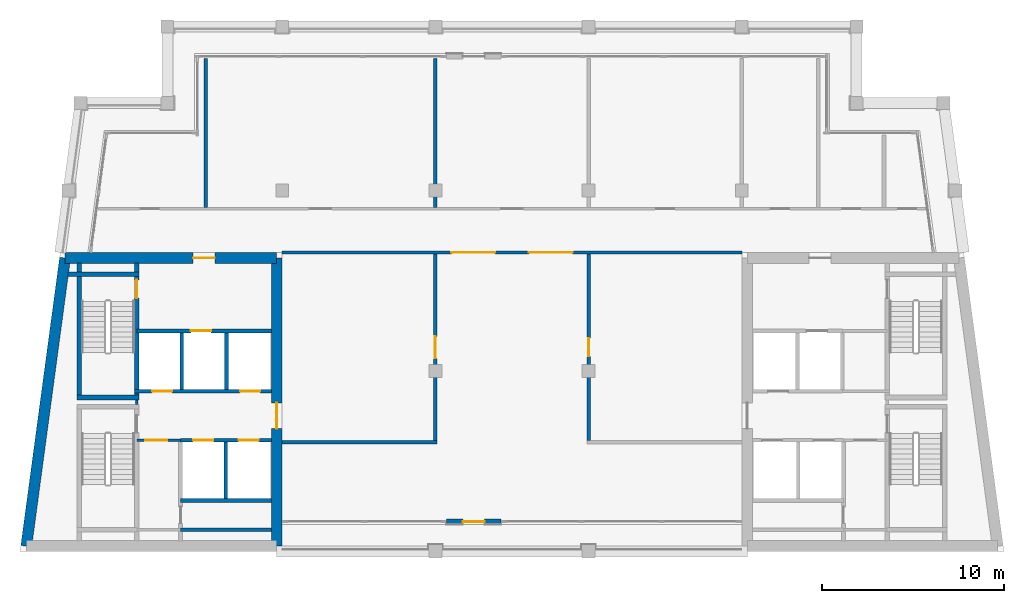
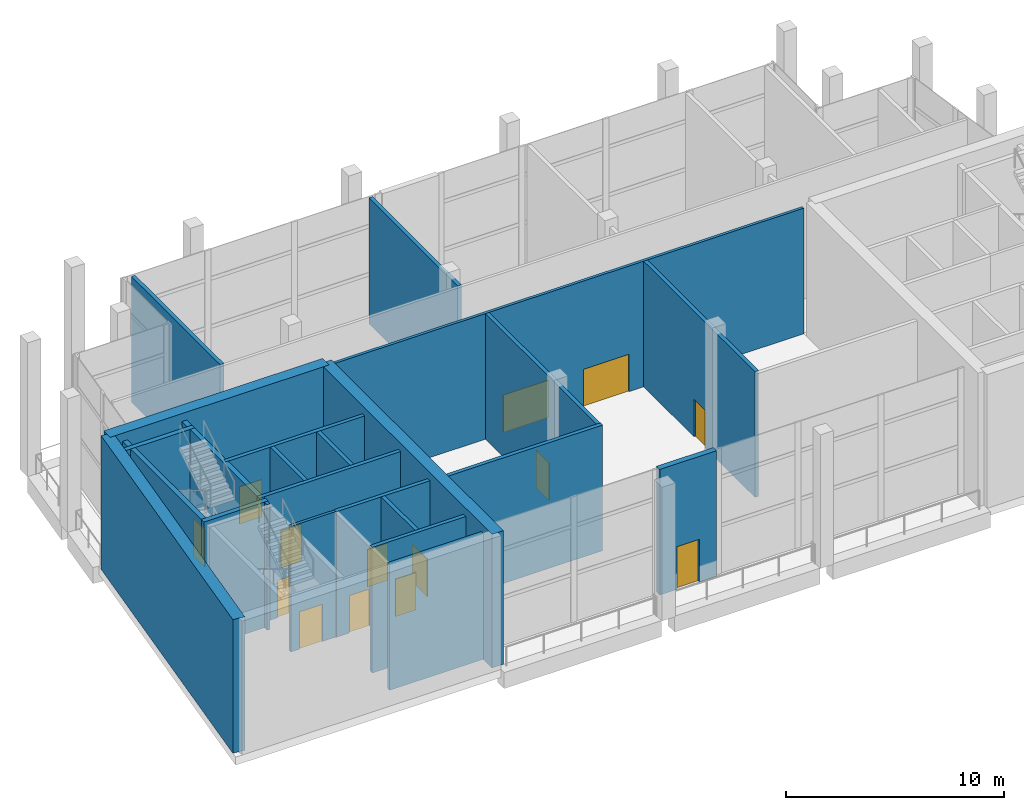
# One storey, part 4 of 9: 24 walls, 14 doors, 14 openings.
"""IFC4 building model written with IfcOpenShell, lengths in metres."""

from ifc_helpers import new_model, si_unit, direction, frame, frame_2d, origin, place, context, subcontext, project, spatial, rectangle, extrude, material, layer, layer_set, type_object, element, fill, save


model = new_model("IFC4")

# Units and contexts
model_context = context("Model", 3, precision=1e-05, world=origin(), true_north=direction((0.0, 1.0)))
body_context = subcontext(model_context, "Body", "Model", "MODEL_VIEW")
ifc_project = project(units=[si_unit("LENGTHUNIT", "METRE"), si_unit("AREAUNIT", "SQUARE_METRE"), si_unit("VOLUMEUNIT", "CUBIC_METRE"), si_unit("PLANEANGLEUNIT", "RADIAN"), si_unit("MASSUNIT", "GRAM", prefix="KILO")], contexts=[model_context])

# Site, building, storey
site_placement = place(None, origin())
site = spatial("IfcSite", under=ifc_project, at=site_placement, CompositionType="ELEMENT")
building_placement = place(site_placement, origin())
building = spatial("IfcBuilding", under=site, at=building_placement, Name="Candeia Pilgrim Tower and Theatre", CompositionType="ELEMENT")
storey_placement = place(building_placement, frame((0.0, 0.0, 307.89990234375)))
storey = spatial("IfcBuildingStorey", under=building, at=storey_placement, Name="L75", CompositionType="ELEMENT", Elevation=307.89990234375)

# Wall, opening, door
ifc_material_1 = material(Name="Concrete C40/50", Category="concrete")
ifc_layer_1 = layer(ifc_material_1, 0.60009765625)
ifc_layer_set_1 = layer_set([ifc_layer_1], Name="Core wall 600 C40/50")
wall_type_1 = type_object("IfcWallType", Name="Core wall 600 C40/50", PredefinedType="SHEAR", material=ifc_layer_set_1)
wall_1_placement = place(storey_placement, frame((88.89306640625, 132.10009765625, 0.0), z_axis=(0.0, 0.0, 1.0), x_axis=(1.0, 0.0, 0.0)))
wall_1 = element("IfcWall", 1, at=wall_1_placement, inside=storey, type_object=wall_type_1, Name="Core wall W1", PredefinedType="SHEAR", context=body_context, shape_type="SweptSolid", body=[
    extrude(rectangle(XDim=11.60693359375, YDim=0.60009765625, at=frame_2d((5.803466796875, 0.0))), origin(), (0.0, 0.0, 1.0), 7.5),
])
opening_1_placement = place(wall_1_placement, frame((7.0205078125, 0.0, 0.0)))
opening_1 = element("IfcOpeningElement", 2, at=opening_1_placement, cuts=wall_1, Name="Opening L75-D020", PredefinedType="OPENING", context=body_context, shape_type="SweptSolid", body=[
    extrude(rectangle(XDim=1.199951171875, YDim=2.10009765625, at=frame_2d((0.60009765625, 1.050048828125))), frame((0.0, 0.31005859375, 0.0), z_axis=(0.0, -1.0, 0.0), x_axis=(1.0, 0.0, 0.0)), (0.0, 0.0, 1.0), 0.6201171875),
])
ifc_material_2 = material(Name="Steel fire door set", Category="steel")
door_type_1 = type_object("IfcDoorType", Name="D-1200-FD60", OperationType="NOTDEFINED", PredefinedType="DOOR", material=ifc_material_2)
door_1_placement = place(opening_1_placement, origin())
door_1 = element("IfcDoor", 3, at=door_1_placement, inside=storey, type_object=door_type_1, Name="Door L75-D020", OperationType="SINGLE_SWING_RIGHT", OverallHeight=2.10009765625, OverallWidth=1.199951171875, PredefinedType="DOOR", context=body_context, shape_type="SweptSolid", body=[
    extrude(rectangle(XDim=1.199951171875, YDim=2.10009765625, at=frame_2d((0.60009765625, 1.050048828125))), frame((0.0, 0.02490234375, 0.0), z_axis=(0.0, -1.0, 0.0), x_axis=(1.0, 0.0, 0.0)), (0.0, 0.0, 1.0), 0.050048828125),
])
fill(opening_1, door_1)

wall_2_placement = place(storey_placement, frame((100.5, 132.10009765625, 0.0), z_axis=(0.0, 0.0, 1.0), x_axis=(0.0, -1.0, 0.0)))
wall_2 = element("IfcWall", 4, at=wall_2_placement, inside=storey, type_object=wall_type_1, Name="Core wall W2", PredefinedType="SHEAR", context=body_context, shape_type="SweptSolid", body=[
    extrude(rectangle(XDim=15.800048828125, YDim=0.60009765625, at=frame_2d((7.89990234375, 0.0))), origin(), (0.0, 0.0, 1.0), 7.5),
])
opening_2_placement = place(wall_2_placement, frame((7.949951171875, 0.0, 0.0)))
opening_2 = element("IfcOpeningElement", 5, at=opening_2_placement, cuts=wall_2, Name="Opening L75-D021", PredefinedType="OPENING", context=body_context, shape_type="SweptSolid", body=[
    extrude(rectangle(XDim=1.39990234375, YDim=2.10009765625, at=frame_2d((0.699951171875, 1.050048828125))), frame((0.0, 0.31005859375, 0.0), z_axis=(0.0, -1.0, 0.0), x_axis=(1.0, 0.0, 0.0)), (0.0, 0.0, 1.0), 0.6201171875),
])
door_type_2 = type_object("IfcDoorType", Name="D-1400-FD60", OperationType="NOTDEFINED", PredefinedType="DOOR", material=ifc_material_2)
door_2_placement = place(opening_2_placement, origin())
door_2 = element("IfcDoor", 6, at=door_2_placement, inside=storey, type_object=door_type_2, Name="Door L75-D021", OperationType="SINGLE_SWING_LEFT", OverallHeight=2.10009765625, OverallWidth=1.39990234375, PredefinedType="DOOR", context=body_context, shape_type="SweptSolid", body=[
    extrude(rectangle(XDim=1.39990234375, YDim=2.10009765625, at=frame_2d((0.699951171875, 1.050048828125))), frame((0.0, 0.02490234375, 0.0), z_axis=(0.0, -1.0, 0.0), x_axis=(1.0, 0.0, 0.0)), (0.0, 0.0, 1.0), 0.050048828125),
])
fill(opening_2, door_2)

# Wall
wall_3_placement = place(storey_placement, frame((86.76611328125, 116.300048828125, 0.0), z_axis=(0.0, 0.0, 1.0), x_axis=(0.13341345841, 0.991060466932, 0.0)))
element("IfcWall", 7, at=wall_3_placement, inside=storey, type_object=wall_type_1, Name="Core wall W4", PredefinedType="SHEAR", context=body_context, shape_type="SweptSolid", body=[
    extrude(rectangle(XDim=15.942626953125, YDim=0.60009765625, at=frame_2d((7.97119140625, 0.0))), origin(), (0.0, 0.0, 1.0), 7.5),
])

# Wall, opening, door
ifc_material_3 = material(Name="Ceramic block masonry", Category="masonry")
ifc_layer_2 = layer(ifc_material_3, 0.300048828125)
ifc_layer_set_2 = layer_set([ifc_layer_2], Name="EW2 entrance infill wall 300")
wall_type_2 = type_object("IfcWallType", Name="EW2 entrance infill wall 300", PredefinedType="SOLIDWALL", material=ifc_layer_set_2)
wall_4_placement = place(storey_placement, frame((109.800048828125, 117.64990234375, 0.0), z_axis=(0.0, 0.0, 1.0), x_axis=(1.0, 0.0, 0.0)))
wall_4 = element("IfcWall", 8, at=wall_4_placement, inside=storey, type_object=wall_type_2, Name="Infill wall L75", PredefinedType="SOLIDWALL", context=body_context, shape_type="SweptSolid", body=[
    extrude(rectangle(XDim=3.0, YDim=0.300048828125, at=frame_2d((1.5, 0.0))), origin(), (0.0, 0.0, 1.0), 7.050048828125),
])
opening_3_placement = place(wall_4_placement, frame((0.89990234375, 0.0, 0.0)))
opening_3 = element("IfcOpeningElement", 9, at=opening_3_placement, cuts=wall_4, Name="Opening L75-ED691", PredefinedType="OPENING", context=body_context, shape_type="SweptSolid", body=[
    extrude(rectangle(XDim=1.199951171875, YDim=2.39990234375, at=frame_2d((0.60009765625, 1.199951171875))), frame((0.0, 0.16015625, 0.0), z_axis=(0.0, -1.0, 0.0), x_axis=(1.0, 0.0, 0.0)), (0.0, 0.0, 1.0), 0.320068359375),
])
ifc_material_4 = material(Name="Aluminium framed glazed door", Category="aluminium")
door_type_3 = type_object("IfcDoorType", Name="Loggia door 1200x2400", OperationType="DOUBLE_DOOR_SINGLE_SWING", PredefinedType="DOOR", material=ifc_material_4)
door_3_placement = place(opening_3_placement, origin())
door_3 = element("IfcDoor", 10, at=door_3_placement, inside=storey, type_object=door_type_3, Name="Loggia door L75-ED691", OperationType="DOUBLE_DOOR_SINGLE_SWING", OverallHeight=2.39990234375, OverallWidth=1.199951171875, PredefinedType="DOOR", context=body_context, shape_type="SweptSolid", body=[
    extrude(rectangle(XDim=1.199951171875, YDim=2.39990234375, at=frame_2d((0.60009765625, 1.199951171875))), frame((0.0, 0.02490234375, 0.0), z_axis=(0.0, -1.0, 0.0), x_axis=(1.0, 0.0, 0.0)), (0.0, 0.0, 1.0), 0.050048828125),
])
fill(opening_3, door_3)

ifc_material_5 = material(Name="Gypsum board partition on steel studs", Category="steel")
ifc_layer_3 = layer(ifc_material_5, 0.14990234375)
ifc_layer_set_3 = layer_set([ifc_layer_3], Name="PW-150 lobby wall")
wall_type_3 = type_object("IfcWallType", Name="PW-150 lobby wall", PredefinedType="PARTITIONING", material=ifc_layer_set_3)
wall_5_placement = place(storey_placement, frame((92.826904296875, 122.10009765625, 0.0), z_axis=(0.0, 0.0, 1.0), x_axis=(1.0, 0.0, 0.0)))
wall_5 = element("IfcWall", 11, at=wall_5_placement, inside=storey, type_object=wall_type_3, Name="Lobby wall L75-013", PredefinedType="PARTITIONING", context=body_context, shape_type="SweptSolid", body=[
    extrude(rectangle(XDim=2.400146484375, YDim=0.14990234375, at=frame_2d((1.2001953125, 0.0))), origin(), (0.0, 0.0, 1.0), 7.050048828125),
])
opening_4_placement = place(wall_5_placement, frame((0.47509765625, 0.0, 0.0)))
opening_4 = element("IfcOpeningElement", 12, at=opening_4_placement, cuts=wall_5, Name="Opening L75-D012", PredefinedType="OPENING", context=body_context, shape_type="SweptSolid", body=[
    extrude(rectangle(XDim=1.199951171875, YDim=2.10009765625, at=frame_2d((0.60009765625, 1.050048828125))), frame((0.0, 0.0849609375, 0.0), z_axis=(0.0, -1.0, 0.0), x_axis=(1.0, 0.0, 0.0)), (0.0, 0.0, 1.0), 0.169921875),
])
door_4_placement = place(opening_4_placement, origin())
door_4 = element("IfcDoor", 13, at=door_4_placement, inside=storey, type_object=door_type_1, Name="Door L75-D012", OperationType="SINGLE_SWING_LEFT", OverallHeight=2.10009765625, OverallWidth=1.199951171875, PredefinedType="DOOR", context=body_context, shape_type="SweptSolid", body=[
    extrude(rectangle(XDim=1.199951171875, YDim=2.10009765625, at=frame_2d((0.60009765625, 1.050048828125))), frame((0.0, 0.02490234375, 0.0), z_axis=(0.0, -1.0, 0.0), x_axis=(1.0, 0.0, 0.0)), (0.0, 0.0, 1.0), 0.050048828125),
])
fill(opening_4, door_4)

# Wall
wall_6_placement = place(storey_placement, frame((92.826904296875, 124.074951171875, 0.0), z_axis=(0.0, 0.0, 1.0), x_axis=(0.0, 1.0, 0.0)))
element("IfcWall", 14, at=wall_6_placement, inside=storey, type_object=wall_type_3, Name="Lobby wall L75-031", PredefinedType="PARTITIONING", context=body_context, shape_type="SweptSolid", body=[
    extrude(rectangle(XDim=0.25, YDim=0.14990234375, at=frame_2d((0.125, 0.0))), origin(), (0.0, 0.0, 1.0), 7.050048828125),
])

# Wall, openings, doors
ifc_layer_4 = layer(ifc_material_5, 0.14990234375)
ifc_layer_set_4 = layer_set([ifc_layer_4], Name="PW-150 unit wall")
wall_type_4 = type_object("IfcWallType", Name="PW-150 unit wall", PredefinedType="PARTITIONING", material=ifc_layer_set_4)
wall_7_placement = place(storey_placement, frame((100.800048828125, 132.39990234375, 0.0), z_axis=(0.0, 0.0, 1.0), x_axis=(1.0, 0.0, 0.0)))
wall_7 = element("IfcWall", 15, at=wall_7_placement, inside=storey, type_object=wall_type_4, Name="Unit wall L75-027", PredefinedType="PARTITIONING", context=body_context, shape_type="SweptSolid", body=[
    extrude(rectangle(XDim=25.199951171875, YDim=0.14990234375, at=frame_2d((12.60009765625, 0.0))), origin(), (0.0, 0.0, 1.0), 7.050048828125),
])
opening_5_placement = place(wall_7_placement, frame((9.280029296875, 0.0, 0.0)))
opening_5 = element("IfcOpeningElement", 16, at=opening_5_placement, cuts=wall_7, Name="Opening L75-D001", PredefinedType="OPENING", context=body_context, shape_type="SweptSolid", body=[
    extrude(rectangle(XDim=2.39990234375, YDim=2.10009765625, at=frame_2d((1.199951171875, 1.050048828125))), frame((0.0, 0.0849609375, 0.0), z_axis=(0.0, -1.0, 0.0), x_axis=(1.0, 0.0, 0.0)), (0.0, 0.0, 1.0), 0.169921875),
])
opening_6_placement = place(wall_7_placement, frame((13.52001953125, 0.0, 0.0)))
opening_6 = element("IfcOpeningElement", 17, at=opening_6_placement, cuts=wall_7, Name="Opening L75-D002", PredefinedType="OPENING", context=body_context, shape_type="SweptSolid", body=[
    extrude(rectangle(XDim=2.39990234375, YDim=2.10009765625, at=frame_2d((1.199951171875, 1.050048828125))), frame((0.0, 0.0849609375, 0.0), z_axis=(0.0, -1.0, 0.0), x_axis=(1.0, 0.0, 0.0)), (0.0, 0.0, 1.0), 0.169921875),
])
door_type_4 = type_object("IfcDoorType", Name="D-2400-FD30S", OperationType="NOTDEFINED", PredefinedType="DOOR", material=ifc_material_2)
door_5_placement = place(opening_5_placement, origin())
door_5 = element("IfcDoor", 18, at=door_5_placement, inside=storey, type_object=door_type_4, Name="Door L75-D001", OperationType="SINGLE_SWING_RIGHT", OverallHeight=2.10009765625, OverallWidth=2.39990234375, PredefinedType="DOOR", context=body_context, shape_type="SweptSolid", body=[
    extrude(rectangle(XDim=2.39990234375, YDim=2.10009765625, at=frame_2d((1.199951171875, 1.050048828125))), frame((0.0, 0.02490234375, 0.0), z_axis=(0.0, -1.0, 0.0), x_axis=(1.0, 0.0, 0.0)), (0.0, 0.0, 1.0), 0.050048828125),
])
fill(opening_5, door_5)
door_6_placement = place(opening_6_placement, origin())
door_6 = element("IfcDoor", 19, at=door_6_placement, inside=storey, type_object=door_type_4, Name="Door L75-D002", OperationType="SINGLE_SWING_LEFT", OverallHeight=2.10009765625, OverallWidth=2.39990234375, PredefinedType="DOOR", context=body_context, shape_type="SweptSolid", body=[
    extrude(rectangle(XDim=2.39990234375, YDim=2.10009765625, at=frame_2d((1.199951171875, 1.050048828125))), frame((0.0, 0.02490234375, 0.0), z_axis=(0.0, -1.0, 0.0), x_axis=(1.0, 0.0, 0.0)), (0.0, 0.0, 1.0), 0.050048828125),
])
fill(opening_6, door_6)

# Walls
ifc_layer_5 = layer(ifc_material_5, 0.199951171875)
ifc_layer_set_5 = layer_set([ifc_layer_5], Name="PW-200 party wall")
wall_type_5 = type_object("IfcWallType", Name="PW-200 party wall", PredefinedType="PARTITIONING", material=ifc_layer_set_5)
wall_8_placement = place(storey_placement, frame((100.800048828125, 122.0, 0.0), z_axis=(0.0, 0.0, 1.0), x_axis=(1.0, 0.0, 0.0)))
element("IfcWall", 20, at=wall_8_placement, inside=storey, type_object=wall_type_5, Name="Party wall L75-009", PredefinedType="PARTITIONING", context=body_context, shape_type="SweptSolid", body=[
    extrude(rectangle(XDim=8.5, YDim=0.199951171875, at=frame_2d((4.25, 0.0))), origin(), (0.0, 0.0, 1.0), 7.050048828125),
])
wall_9_placement = place(storey_placement, frame((96.60009765625, 134.875, 0.0), z_axis=(0.0, 0.0, 1.0), x_axis=(0.0, 1.0, 0.0)))
element("IfcWall", 21, at=wall_9_placement, inside=storey, type_object=wall_type_5, Name="Party wall L75-036", PredefinedType="PARTITIONING", context=body_context, shape_type="SweptSolid", body=[
    extrude(rectangle(XDim=8.1650390625, YDim=0.199951171875, at=frame_2d((4.08251953125, 0.0))), origin(), (0.0, 0.0, 1.0), 7.050048828125),
])

# Wall, opening, door
wall_10_placement = place(storey_placement, frame((109.199951171875, 122.10009765625, 0.0), z_axis=(0.0, 0.0, 1.0), x_axis=(0.0, 1.0, 0.0)))
wall_10 = element("IfcWall", 22, at=wall_10_placement, inside=storey, type_object=wall_type_5, Name="Party wall L75-039", PredefinedType="PARTITIONING", context=body_context, shape_type="SweptSolid", body=[
    extrude(rectangle(XDim=10.224853515625, YDim=0.199951171875, at=frame_2d((5.1123046875, 0.0))), origin(), (0.0, 0.0, 1.0), 7.050048828125),
])
opening_7_placement = place(wall_10_placement, frame((4.5, 0.0, 0.0)))
opening_7 = element("IfcOpeningElement", 23, at=opening_7_placement, cuts=wall_10, Name="Opening L75-D003", PredefinedType="OPENING", context=body_context, shape_type="SweptSolid", body=[
    extrude(rectangle(XDim=1.199951171875, YDim=2.10009765625, at=frame_2d((0.60009765625, 1.050048828125))), frame((0.0, 0.10986328125, 0.0), z_axis=(0.0, -1.0, 0.0), x_axis=(1.0, 0.0, 0.0)), (0.0, 0.0, 1.0), 0.219970703125),
])
door_7_placement = place(opening_7_placement, origin())
door_7 = element("IfcDoor", 24, at=door_7_placement, inside=storey, type_object=door_type_1, Name="Door L75-D003", OperationType="SINGLE_SWING_RIGHT", OverallHeight=2.10009765625, OverallWidth=1.199951171875, PredefinedType="DOOR", context=body_context, shape_type="SweptSolid", body=[
    extrude(rectangle(XDim=1.199951171875, YDim=2.10009765625, at=frame_2d((0.60009765625, 1.050048828125))), frame((0.0, 0.02490234375, 0.0), z_axis=(0.0, -1.0, 0.0), x_axis=(1.0, 0.0, 0.0)), (0.0, 0.0, 1.0), 0.050048828125),
])
fill(opening_7, door_7)

# Wall
wall_11_placement = place(storey_placement, frame((109.199951171875, 134.875, 0.0), z_axis=(0.0, 0.0, 1.0), x_axis=(0.0, 1.0, 0.0)))
element("IfcWall", 25, at=wall_11_placement, inside=storey, type_object=wall_type_5, Name="Party wall L75-040", PredefinedType="PARTITIONING", context=body_context, shape_type="SweptSolid", body=[
    extrude(rectangle(XDim=8.1650390625, YDim=0.199951171875, at=frame_2d((4.08251953125, 0.0))), origin(), (0.0, 0.0, 1.0), 7.050048828125),
])

# Wall, opening, door
wall_12_placement = place(storey_placement, frame((117.60009765625, 122.10009765625, 0.0), z_axis=(0.0, 0.0, 1.0), x_axis=(0.0, 1.0, 0.0)))
wall_12 = element("IfcWall", 26, at=wall_12_placement, inside=storey, type_object=wall_type_5, Name="Party wall L75-041", PredefinedType="PARTITIONING", context=body_context, shape_type="SweptSolid", body=[
    extrude(rectangle(XDim=10.224853515625, YDim=0.199951171875, at=frame_2d((5.1123046875, 0.0))), origin(), (0.0, 0.0, 1.0), 7.050048828125),
])
opening_8_placement = place(wall_12_placement, frame((4.60009765625, 0.0, 0.0)))
opening_8 = element("IfcOpeningElement", 27, at=opening_8_placement, cuts=wall_12, Name="Opening L75-D004", PredefinedType="OPENING", context=body_context, shape_type="SweptSolid", body=[
    extrude(rectangle(XDim=1.0, YDim=2.10009765625, at=frame_2d((0.5, 1.050048828125))), frame((0.0, 0.10986328125, 0.0), z_axis=(0.0, -1.0, 0.0), x_axis=(1.0, 0.0, 0.0)), (0.0, 0.0, 1.0), 0.219970703125),
])
door_type_5 = type_object("IfcDoorType", Name="D-1000-FD30S", OperationType="NOTDEFINED", PredefinedType="DOOR", material=ifc_material_2)
door_8_placement = place(opening_8_placement, origin())
door_8 = element("IfcDoor", 28, at=door_8_placement, inside=storey, type_object=door_type_5, Name="Door L75-D004", OperationType="SINGLE_SWING_LEFT", OverallHeight=2.10009765625, OverallWidth=1.0, PredefinedType="DOOR", context=body_context, shape_type="SweptSolid", body=[
    extrude(rectangle(XDim=1.0, YDim=2.10009765625, at=frame_2d((0.5, 1.050048828125))), frame((0.0, 0.02490234375, 0.0), z_axis=(0.0, -1.0, 0.0), x_axis=(1.0, 0.0, 0.0)), (0.0, 0.0, 1.0), 0.050048828125),
])
fill(opening_8, door_8)

# Walls
ifc_layer_6 = layer(ifc_material_1, 0.199951171875)
ifc_layer_set_6 = layer_set([ifc_layer_6], Name="SW-200 shaft wall")
wall_type_6 = type_object("IfcWallType", Name="SW-200 shaft wall", PredefinedType="PARTITIONING", material=ifc_layer_set_6)
for number, where, z_axis, x_axis, name in (
    (29, (95.22705078125, 117.199951171875, 0.0), (0.0, 0.0, 1.0), (1.0, 0.0, 0.0), "Shaft wall L75-001"),
    (30, (95.22705078125, 118.800048828125, 0.0), (0.0, 0.0, 1.0), (1.0, 0.0, 0.0), "Shaft wall L75-007"),
):
    element("IfcWall", number, at=place(storey_placement, frame(where, z_axis=z_axis, x_axis=x_axis)), inside=storey, type_object=wall_type_6, Name=name, PredefinedType="PARTITIONING", context=body_context, shape_type="SweptSolid", body=[
        extrude(rectangle(XDim=4.972900390625, YDim=0.199951171875, at=frame_2d((2.486328125, 0.0))), origin(), (0.0, 0.0, 1.0), 7.050048828125),
    ])

# Wall, openings, doors
wall_13_placement = place(storey_placement, frame((95.22705078125, 122.10009765625, 0.0), z_axis=(0.0, 0.0, 1.0), x_axis=(1.0, 0.0, 0.0)))
wall_13 = element("IfcWall", 31, at=wall_13_placement, inside=storey, type_object=wall_type_6, Name="Shaft wall L75-011", PredefinedType="PARTITIONING", context=body_context, shape_type="SweptSolid", body=[
    extrude(rectangle(XDim=4.972900390625, YDim=0.199951171875, at=frame_2d((2.486328125, 0.0))), origin(), (0.0, 0.0, 1.0), 7.050048828125),
])
opening_9_placement = place(wall_13_placement, frame((0.693115234375, 0.0, 0.0)))
opening_9 = element("IfcOpeningElement", 32, at=opening_9_placement, cuts=wall_13, Name="Opening L75-LD01", PredefinedType="OPENING", context=body_context, shape_type="SweptSolid", body=[
    extrude(rectangle(XDim=1.10009765625, YDim=2.10009765625, at=frame_2d((0.550048828125, 1.050048828125))), frame((0.0, 0.10986328125, 0.0), z_axis=(0.0, -1.0, 0.0), x_axis=(1.0, 0.0, 0.0)), (0.0, 0.0, 1.0), 0.219970703125),
])
opening_10_placement = place(wall_13_placement, frame((3.179931640625, 0.0, 0.0)))
opening_10 = element("IfcOpeningElement", 33, at=opening_10_placement, cuts=wall_13, Name="Opening L75-LD02", PredefinedType="OPENING", context=body_context, shape_type="SweptSolid", body=[
    extrude(rectangle(XDim=1.10009765625, YDim=2.10009765625, at=frame_2d((0.550048828125, 1.050048828125))), frame((0.0, 0.10986328125, 0.0), z_axis=(0.0, -1.0, 0.0), x_axis=(1.0, 0.0, 0.0)), (0.0, 0.0, 1.0), 0.219970703125),
])
ifc_material_6 = material(Name="Glazed aluminium landing door", Category="aluminium")
door_type_6 = type_object("IfcDoorType", Name="LD-1100-EI120", OperationType="SLIDING_TO_LEFT", PredefinedType="DOOR", material=ifc_material_6)
door_9_placement = place(opening_9_placement, origin())
door_9 = element("IfcDoor", 34, at=door_9_placement, inside=storey, type_object=door_type_6, Name="Landing door 01 L75", OperationType="SLIDING_TO_LEFT", OverallHeight=2.10009765625, OverallWidth=1.10009765625, PredefinedType="DOOR", context=body_context, shape_type="SweptSolid", body=[
    extrude(rectangle(XDim=1.10009765625, YDim=2.10009765625, at=frame_2d((0.550048828125, 1.050048828125))), frame((0.0, 0.02490234375, 0.0), z_axis=(0.0, -1.0, 0.0), x_axis=(1.0, 0.0, 0.0)), (0.0, 0.0, 1.0), 0.050048828125),
])
fill(opening_9, door_9)
door_10_placement = place(opening_10_placement, origin())
door_10 = element("IfcDoor", 35, at=door_10_placement, inside=storey, type_object=door_type_6, Name="Landing door 02 L75", OperationType="SLIDING_TO_LEFT", OverallHeight=2.10009765625, OverallWidth=1.10009765625, PredefinedType="DOOR", context=body_context, shape_type="SweptSolid", body=[
    extrude(rectangle(XDim=1.10009765625, YDim=2.10009765625, at=frame_2d((0.550048828125, 1.050048828125))), frame((0.0, 0.02490234375, 0.0), z_axis=(0.0, -1.0, 0.0), x_axis=(1.0, 0.0, 0.0)), (0.0, 0.0, 1.0), 0.050048828125),
])
fill(opening_10, door_10)

wall_14_placement = place(storey_placement, frame((92.701904296875, 124.800048828125, 0.0), z_axis=(0.0, 0.0, 1.0), x_axis=(1.0, 0.0, 0.0)))
wall_14 = element("IfcWall", 36, at=wall_14_placement, inside=storey, type_object=wall_type_6, Name="Shaft wall L75-019", PredefinedType="PARTITIONING", context=body_context, shape_type="SweptSolid", body=[
    extrude(rectangle(XDim=7.498046875, YDim=0.199951171875, at=frame_2d((3.7490234375, 0.0))), origin(), (0.0, 0.0, 1.0), 7.050048828125),
])
opening_11_placement = place(wall_14_placement, frame((0.968017578125, 0.0, 0.0)))
opening_11 = element("IfcOpeningElement", 37, at=opening_11_placement, cuts=wall_14, Name="Opening L75-LD03", PredefinedType="OPENING", context=body_context, shape_type="SweptSolid", body=[
    extrude(rectangle(XDim=1.10009765625, YDim=2.10009765625, at=frame_2d((0.550048828125, 1.050048828125))), frame((0.0, 0.10986328125, 0.0), z_axis=(0.0, -1.0, 0.0), x_axis=(1.0, 0.0, 0.0)), (0.0, 0.0, 1.0), 0.219970703125),
])
opening_12_placement = place(wall_14_placement, frame((5.784912109375, 0.0, 0.0)))
opening_12 = element("IfcOpeningElement", 38, at=opening_12_placement, cuts=wall_14, Name="Opening L75-LD05", PredefinedType="OPENING", context=body_context, shape_type="SweptSolid", body=[
    extrude(rectangle(XDim=1.10009765625, YDim=2.10009765625, at=frame_2d((0.550048828125, 1.050048828125))), frame((0.0, 0.10986328125, 0.0), z_axis=(0.0, -1.0, 0.0), x_axis=(1.0, 0.0, 0.0)), (0.0, 0.0, 1.0), 0.219970703125),
])
door_11_placement = place(opening_11_placement, origin())
door_11 = element("IfcDoor", 39, at=door_11_placement, inside=storey, type_object=door_type_6, Name="Landing door 03 L75", OperationType="SLIDING_TO_LEFT", OverallHeight=2.10009765625, OverallWidth=1.10009765625, PredefinedType="DOOR", context=body_context, shape_type="SweptSolid", body=[
    extrude(rectangle(XDim=1.10009765625, YDim=2.10009765625, at=frame_2d((0.550048828125, 1.050048828125))), frame((0.0, 0.02490234375, 0.0), z_axis=(0.0, -1.0, 0.0), x_axis=(1.0, 0.0, 0.0)), (0.0, 0.0, 1.0), 0.050048828125),
])
fill(opening_11, door_11)
door_12_placement = place(opening_12_placement, origin())
door_12 = element("IfcDoor", 40, at=door_12_placement, inside=storey, type_object=door_type_6, Name="Landing door 05 L75", OperationType="SLIDING_TO_LEFT", OverallHeight=2.10009765625, OverallWidth=1.10009765625, PredefinedType="DOOR", context=body_context, shape_type="SweptSolid", body=[
    extrude(rectangle(XDim=1.10009765625, YDim=2.10009765625, at=frame_2d((0.550048828125, 1.050048828125))), frame((0.0, 0.02490234375, 0.0), z_axis=(0.0, -1.0, 0.0), x_axis=(1.0, 0.0, 0.0)), (0.0, 0.0, 1.0), 0.050048828125),
])
fill(opening_12, door_12)

# Wall, opening, door
wall_15_placement = place(storey_placement, frame((92.826904296875, 128.10009765625, 0.0), z_axis=(0.0, 0.0, 1.0), x_axis=(1.0, 0.0, 0.0)))
wall_15 = element("IfcWall", 41, at=wall_15_placement, inside=storey, type_object=wall_type_6, Name="Shaft wall L75-022", PredefinedType="PARTITIONING", context=body_context, shape_type="SweptSolid", body=[
    extrude(rectangle(XDim=7.373046875, YDim=0.199951171875, at=frame_2d((3.6865234375, 0.0))), origin(), (0.0, 0.0, 1.0), 7.050048828125),
])
opening_13_placement = place(wall_15_placement, frame((2.971923828125, 0.0, 0.0)))
opening_13 = element("IfcOpeningElement", 42, at=opening_13_placement, cuts=wall_15, Name="Opening L75-LD04", PredefinedType="OPENING", context=body_context, shape_type="SweptSolid", body=[
    extrude(rectangle(XDim=1.10009765625, YDim=2.10009765625, at=frame_2d((0.550048828125, 1.050048828125))), frame((0.0, 0.10986328125, 0.0), z_axis=(0.0, -1.0, 0.0), x_axis=(1.0, 0.0, 0.0)), (0.0, 0.0, 1.0), 0.219970703125),
])
door_13_placement = place(opening_13_placement, origin())
door_13 = element("IfcDoor", 43, at=door_13_placement, inside=storey, type_object=door_type_6, Name="Landing door 04 L75", OperationType="SLIDING_TO_LEFT", OverallHeight=2.10009765625, OverallWidth=1.10009765625, PredefinedType="DOOR", context=body_context, shape_type="SweptSolid", body=[
    extrude(rectangle(XDim=1.10009765625, YDim=2.10009765625, at=frame_2d((0.550048828125, 1.050048828125))), frame((0.0, 0.02490234375, 0.0), z_axis=(0.0, -1.0, 0.0), x_axis=(1.0, 0.0, 0.0)), (0.0, 0.0, 1.0), 0.050048828125),
])
fill(opening_13, door_13)

# Walls
for number, where, z_axis, x_axis, name in (
    (44, (95.28466796875, 124.89990234375, 0.0), (0.0, 0.0, 1.0), (0.0, 1.0, 0.0), "Shaft wall L75-035"),
    (45, (97.71337890625, 118.89990234375, 0.0), (0.0, 0.0, 1.0), (0.0, 1.0, 0.0), "Shaft wall L75-037"),
    (46, (97.7421875, 124.89990234375, 0.0), (0.0, 0.0, 1.0), (0.0, 1.0, 0.0), "Shaft wall L75-038"),
):
    element("IfcWall", number, at=place(storey_placement, frame(where, z_axis=z_axis, x_axis=x_axis)), inside=storey, type_object=wall_type_6, Name=name, PredefinedType="PARTITIONING", context=body_context, shape_type="SweptSolid", body=[
        extrude(rectangle(XDim=3.10009765625, YDim=0.199951171875, at=frame_2d((1.550048828125, 0.0))), origin(), (0.0, 0.0, 1.0), 7.050048828125),
    ])
ifc_layer_7 = layer(ifc_material_1, 0.25)
ifc_layer_set_7 = layer_set([ifc_layer_7], Name="SW-250 stair wall")
wall_type_7 = type_object("IfcWallType", Name="SW-250 stair wall", PredefinedType="PARTITIONING", material=ifc_layer_set_7)
wall_16_placement = place(storey_placement, frame((89.552001953125, 124.449951171875, 0.0), z_axis=(0.0, 0.0, 1.0), x_axis=(1.0, 0.0, 0.0)))
element("IfcWall", 47, at=wall_16_placement, inside=storey, type_object=wall_type_7, Name="Stair wall L75-017", PredefinedType="PARTITIONING", context=body_context, shape_type="SweptSolid", body=[
    extrude(rectangle(XDim=3.39990234375, YDim=0.25, at=frame_2d((1.699951171875, 0.0))), origin(), (0.0, 0.0, 1.0), 7.050048828125),
])
wall_17_placement = place(storey_placement, frame((89.044677734375, 131.199951171875, 0.0), z_axis=(0.0, 0.0, 1.0), x_axis=(1.0, 0.0, 0.0)))
element("IfcWall", 48, at=wall_17_placement, inside=storey, type_object=wall_type_7, Name="Stair wall L75-025", PredefinedType="PARTITIONING", context=body_context, shape_type="SweptSolid", body=[
    extrude(rectangle(XDim=3.9072265625, YDim=0.25, at=frame_2d((1.95361328125, 0.0))), origin(), (0.0, 0.0, 1.0), 7.050048828125),
])
wall_18_placement = place(storey_placement, frame((89.677001953125, 124.574951171875, 0.0), z_axis=(0.0, 0.0, 1.0), x_axis=(0.0, 1.0, 0.0)))
element("IfcWall", 49, at=wall_18_placement, inside=storey, type_object=wall_type_7, Name="Stair wall L75-030", PredefinedType="PARTITIONING", context=body_context, shape_type="SweptSolid", body=[
    extrude(rectangle(XDim=7.255126953125, YDim=0.25, at=frame_2d((3.62744140625, 0.0))), origin(), (0.0, 0.0, 1.0), 7.050048828125),
])

# Wall, opening, door
wall_19_placement = place(storey_placement, frame((92.826904296875, 124.574951171875, 0.0), z_axis=(0.0, 0.0, 1.0), x_axis=(0.0, 1.0, 0.0)))
wall_19 = element("IfcWall", 50, at=wall_19_placement, inside=storey, type_object=wall_type_7, Name="Stair wall L75-033", PredefinedType="PARTITIONING", context=body_context, shape_type="SweptSolid", body=[
    extrude(rectangle(XDim=7.255126953125, YDim=0.25, at=frame_2d((3.62744140625, 0.0))), origin(), (0.0, 0.0, 1.0), 7.050048828125),
])
opening_14_placement = place(wall_19_placement, frame((5.324951171875, 0.0, 0.0)))
opening_14 = element("IfcOpeningElement", 51, at=opening_14_placement, cuts=wall_19, Name="Opening L75-D014", PredefinedType="OPENING", context=body_context, shape_type="SweptSolid", body=[
    extrude(rectangle(XDim=1.0, YDim=2.10009765625, at=frame_2d((0.5, 1.050048828125))), frame((0.0, 0.135009765625, 0.0), z_axis=(0.0, -1.0, 0.0), x_axis=(1.0, 0.0, 0.0)), (0.0, 0.0, 1.0), 0.27001953125),
])
door_type_7 = type_object("IfcDoorType", Name="D-1000-FD60", OperationType="NOTDEFINED", PredefinedType="DOOR", material=ifc_material_2)
door_14_placement = place(opening_14_placement, origin())
door_14 = element("IfcDoor", 52, at=door_14_placement, inside=storey, type_object=door_type_7, Name="Door L75-D014", OperationType="SINGLE_SWING_RIGHT", OverallHeight=2.10009765625, OverallWidth=1.0, PredefinedType="DOOR", context=body_context, shape_type="SweptSolid", body=[
    extrude(rectangle(XDim=1.0, YDim=2.10009765625, at=frame_2d((0.5, 1.050048828125))), frame((0.0, 0.02490234375, 0.0), z_axis=(0.0, -1.0, 0.0), x_axis=(1.0, 0.0, 0.0)), (0.0, 0.0, 1.0), 0.050048828125),
])
fill(opening_14, door_14)

save(model, "model.ifc")
